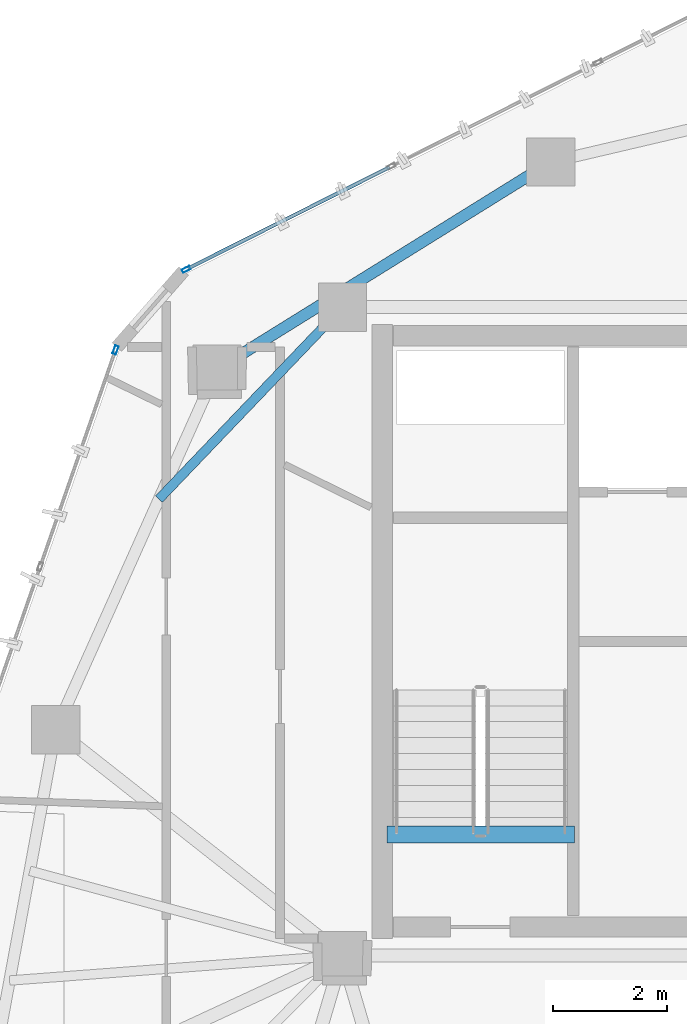
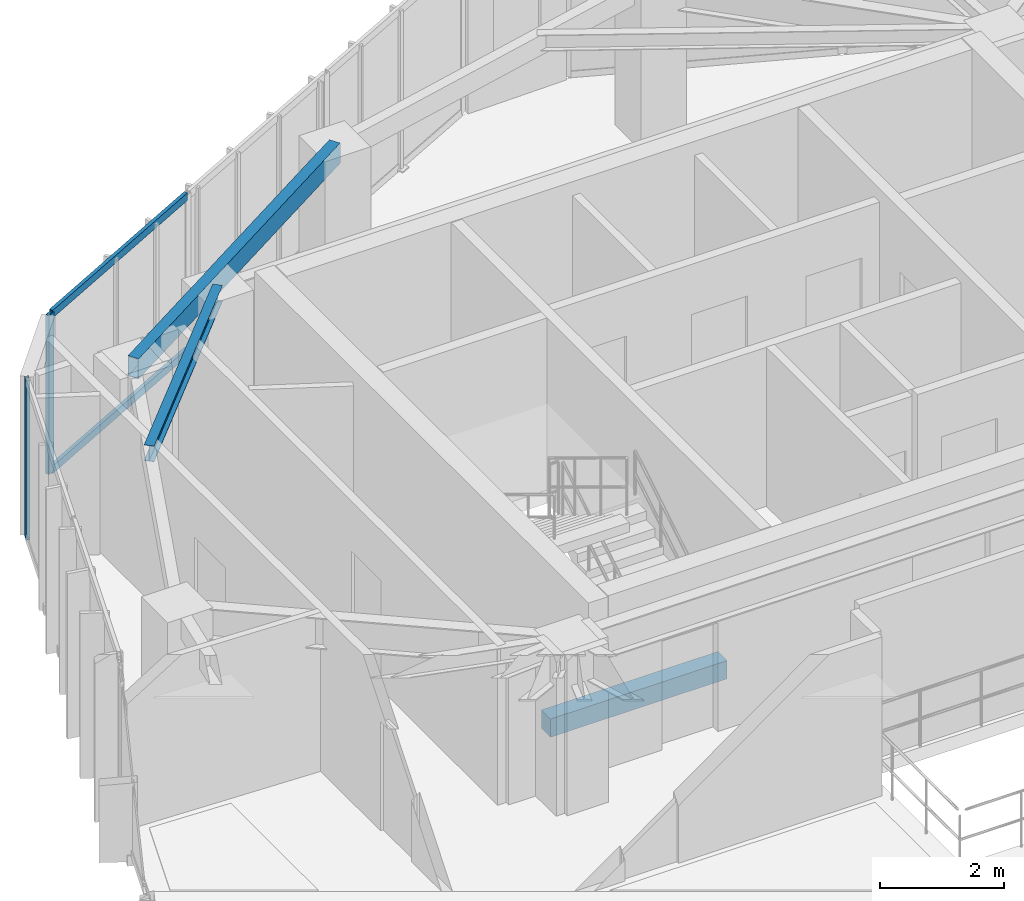
# One storey, part 9 of 21: 4 members, 3 beams, 2 elements without a shape of their own.
"""IFC4 building model written with IfcOpenShell, lengths in metres."""

from ifc_helpers import new_model, si_unit, direction, frame, origin, origin_2d, place, context, subcontext, project, spatial, rectangle, hollow_rectangle, i_section, extrude, source, transform, mapped, material, layer, layer_set, material_profile, profile_set, type_object, type_shapes, element, aggregate, save


model = new_model("IFC4")

# Units and contexts
model_context = context("Model", 3, precision=1e-05, world=origin(), true_north=direction((0.0, 1.0)))
body_context = subcontext(model_context, "Body", "Model", "MODEL_VIEW")
ifc_project = project(units=[si_unit("LENGTHUNIT", "METRE"), si_unit("AREAUNIT", "SQUARE_METRE"), si_unit("VOLUMEUNIT", "CUBIC_METRE"), si_unit("PLANEANGLEUNIT", "RADIAN"), si_unit("MASSUNIT", "GRAM", prefix="KILO")], contexts=[model_context])

# Site, building, storey
site_placement = place(None, origin())
site = spatial("IfcSite", under=ifc_project, at=site_placement, CompositionType="ELEMENT")
building_placement = place(site_placement, origin())
building = spatial("IfcBuilding", under=site, at=building_placement, Name="Talar Marvaseh", CompositionType="ELEMENT")
storey_placement = place(building_placement, frame((0.0, 0.0, 264.60009765625)))
storey = spatial("IfcBuildingStorey", under=building, at=storey_placement, Name="L70", CompositionType="ELEMENT", Elevation=264.60009765625)

# Beams
ifc_material_1 = material(Name="Concrete C40/50", Category="concrete")
ifc_material_profile_1 = material_profile(ifc_material_1, rectangle(XDim=0.300048828125, YDim=0.360107421875, at=origin_2d()), Name="RC300x360")
ifc_profile_set_1 = profile_set([ifc_material_profile_1], Name="Concrete C40/50")
beam_type_1 = type_object("IfcBeamType", Name="Concrete Stair Landing Trimmer Beam RC300x360", PredefinedType="SPANDREL", material=ifc_profile_set_1)
beam_1_placement = place(storey_placement, frame((22.780029296875, 27.6298828125, -0.18017578125), z_axis=(-1.0, 0.0, 0.0), x_axis=(0.0, -1.0, 0.0)))
element("IfcBeam", 1, at=beam_1_placement, inside=storey, type_object=beam_type_1, Name="L70 ST-1 Stair Nosing Trimmer Beam", PredefinedType="SPANDREL", context=body_context, shape_type="SweptSolid", body=[
    extrude(rectangle(XDim=0.300048828125, YDim=0.360107421875, at=origin_2d()), origin(), (0.0, 0.0, 1.0), 3.300048828125),
])
ifc_material_2 = material(Name="Steel S355", Category="steel")
ifc_material_profile_2 = material_profile(ifc_material_2, hollow_rectangle(XDim=0.199951171875, YDim=0.39990234375, WallThickness=0.013916015625, at=origin_2d()), Name="RHS400x200x14")
ifc_profile_set_2 = profile_set([ifc_material_profile_2], Name="Steel S355")
beam_type_2 = type_object("IfcBeamType", Name="Zone 3 Perimeter Spandrel Beam RHS400x200x14", PredefinedType="SPANDREL", material=ifc_profile_set_2)
beam_2_placement = place(storey_placement, frame((16.493896484375, 35.806884765625, 2.93994140625), z_axis=(0.849439811678, 0.527685518407, 0.0), x_axis=(-0.527685518407, 0.849439811678, 0.0)))
element("IfcBeam", 2, at=beam_2_placement, inside=storey, type_object=beam_type_2, Name="L70 Zone 3 Perimeter Spandrel Beam RHS400x200x14", PredefinedType="SPANDREL", context=body_context, shape_type="SweptSolid", body=[
    extrude(hollow_rectangle(XDim=0.199951171875, YDim=0.39990234375, WallThickness=0.013916015625, at=origin_2d()), origin(), (0.0, 0.0, 1.0), 6.91162109375),
])
ifc_material_profile_3 = material_profile(ifc_material_2, i_section(OverallWidth=0.166015625, OverallDepth=0.31298828125, WebThickness=0.006591796875, FlangeThickness=0.01123046875, at=origin_2d()), Name="W310x45")
ifc_profile_set_3 = profile_set([ifc_material_profile_3], Name="Steel S355")
beam_type_3 = type_object("IfcBeamType", Name="Zone 3 Secondary Floor Joist W310x45", PredefinedType="JOIST", material=ifc_profile_set_3)
beam_3_placement = place(storey_placement, frame((15.472900390625, 33.525634765625, 2.9833984375), z_axis=(0.691165656787, 0.722696364235, 0.0), x_axis=(-0.722696364235, 0.691165656787, 0.0)))
element("IfcBeam", 3, at=beam_3_placement, inside=storey, type_object=beam_type_3, Name="L70 Zone 3 Secondary Floor Joist W310x45", PredefinedType="JOIST", context=body_context, shape_type="SweptSolid", body=[
    extrude(i_section(OverallWidth=0.166015625, OverallDepth=0.31298828125, WebThickness=0.006591796875, FlangeThickness=0.01123046875, at=origin_2d()), origin(), (0.0, 0.0, 1.0), 4.6689453125),
])

# Curtain wall, member
ifc_material_3 = material(Name="Architectural Aluminium", Category="aluminium")
ifc_layer = layer(ifc_material_3, 0.179931640625)
ifc_layer_set = layer_set([ifc_layer], Name="Architectural Aluminium")
curtain_wall_type = type_object("IfcCurtainWallType", Name="Unitised High-Wind Sky Curtain Wall Z4", PredefinedType="NOTDEFINED", material=ifc_layer_set)
curtain_wall_1_placement = place(storey_placement, origin())
curtain_wall_1 = element("IfcCurtainWall", 4, at=curtain_wall_1_placement, inside=storey, type_object=curtain_wall_type, Name="L70 Unitised High-Wind Sky Curtain Wall Z4", PredefinedType="NOTDEFINED")
ifc_material_profile_4 = material_profile(ifc_material_3, hollow_rectangle(XDim=0.06494140625, YDim=0.14990234375, WallThickness=0.00390625, at=origin_2d()), Name="RHS150x65x4")
ifc_profile_set_4 = profile_set([ifc_material_profile_4], Name="Architectural Aluminium")
member_type_1 = type_object("IfcMemberType", Name="Unitised Curtain Wall Slim Mullion RHS150x65x4", PredefinedType="MULLION", material=ifc_profile_set_4)
shared_shape_1 = source(origin(), body_context, "Body", "SweptSolid", [
    extrude(hollow_rectangle(XDim=0.06494140625, YDim=0.14990234375, WallThickness=0.00390625, at=origin_2d()), origin(), (0.0, 0.0, 1.0), 3.139892578125),
])
type_shapes(member_type_1, [shared_shape_1])
member_1_placement = place(storey_placement, frame((14.70947265625, 36.147216796875, 0.0), z_axis=(0.0, 0.0, 1.0), x_axis=(-0.944480106126, 0.328568606431, 0.0)))
member_1 = element("IfcMember", 5, at=member_1_placement, type_object=member_type_1, Name="CW-Z4 mullion 4", PredefinedType="MULLION", context=body_context, shape_type="MappedRepresentation", body=[
    mapped(shared_shape_1, transform((0.0, 0.0, 0.0), x_axis=(1.0, 0.0, 0.0), y_axis=(0.0, 1.0, 0.0), z_axis=(0.0, 0.0, 1.0), scale=1.0)),
])
aggregate(curtain_wall_1, [member_1])

# Curtain wall, members
curtain_wall_2_placement = place(storey_placement, origin())
curtain_wall_2 = element("IfcCurtainWall", 6, at=curtain_wall_2_placement, inside=storey, type_object=curtain_wall_type, Name="L70 Unitised High-Wind Sky Curtain Wall Z4", PredefinedType="NOTDEFINED")
member_2_placement = place(storey_placement, frame((15.953125, 37.565185546875, 0.0), z_axis=(0.0, 0.0, 1.0), x_axis=(-0.449034728226, 0.893514304781, 0.0)))
member_2 = element("IfcMember", 7, at=member_2_placement, type_object=member_type_1, Name="CW-Z4 mullion 1", PredefinedType="MULLION", context=body_context, shape_type="MappedRepresentation", body=[
    mapped(shared_shape_1, transform((0.0, 0.0, 0.0), x_axis=(1.0, 0.0, 0.0), y_axis=(0.0, 1.0, 0.0), z_axis=(0.0, 0.0, 1.0), scale=1.0)),
])
ifc_material_profile_5 = material_profile(ifc_material_3, hollow_rectangle(XDim=0.06494140625, YDim=0.14990234375, WallThickness=0.00390625, at=origin_2d()), Name="RHS150x65x4")
ifc_profile_set_5 = profile_set([ifc_material_profile_5], Name="Architectural Aluminium")
member_type_2 = type_object("IfcMemberType", Name="Unitised Curtain Wall Slim Transom RHS150x65x4", PredefinedType="USERDEFINED", material=ifc_profile_set_5)
shared_shape_2 = source(origin(), body_context, "Body", "SweptSolid", [
    extrude(hollow_rectangle(XDim=0.06494140625, YDim=0.14990234375, WallThickness=0.00390625, at=origin_2d()), origin(), (0.0, 0.0, 1.0), 3.970947265625),
])
type_shapes(member_type_2, [shared_shape_2])
member_3_placement = place(storey_placement, frame((15.982177734375, 37.579833984375, 0.032470703125), z_axis=(0.893503074575, 0.449057074017, 0.0), x_axis=(-0.449057074017, 0.893503074575, 0.0)))
member_3 = element("IfcMember", 8, at=member_3_placement, type_object=member_type_2, Name="CW-Z4 transom 1.1", ObjectType="TRANSOM", PredefinedType="USERDEFINED", context=body_context, shape_type="MappedRepresentation", body=[
    mapped(shared_shape_2, transform((0.0, 0.0, 0.0), x_axis=(1.0, 0.0, 0.0), y_axis=(0.0, 1.0, 0.0), z_axis=(0.0, 0.0, 1.0), scale=1.0)),
])
member_4_placement = place(storey_placement, frame((15.982177734375, 37.579833984375, 3.107421875), z_axis=(0.893503074575, 0.449057074017, 0.0), x_axis=(-0.449057074017, 0.893503074575, 0.0)))
member_4 = element("IfcMember", 9, at=member_4_placement, type_object=member_type_2, Name="CW-Z4 transom 1.2", ObjectType="TRANSOM", PredefinedType="USERDEFINED", context=body_context, shape_type="MappedRepresentation", body=[
    mapped(shared_shape_2, transform((0.0, 0.0, 0.0), x_axis=(1.0, 0.0, 0.0), y_axis=(0.0, 1.0, 0.0), z_axis=(0.0, 0.0, 1.0), scale=1.0)),
])
aggregate(curtain_wall_2, [member_2, member_3, member_4])

save(model, "model.ifc")
